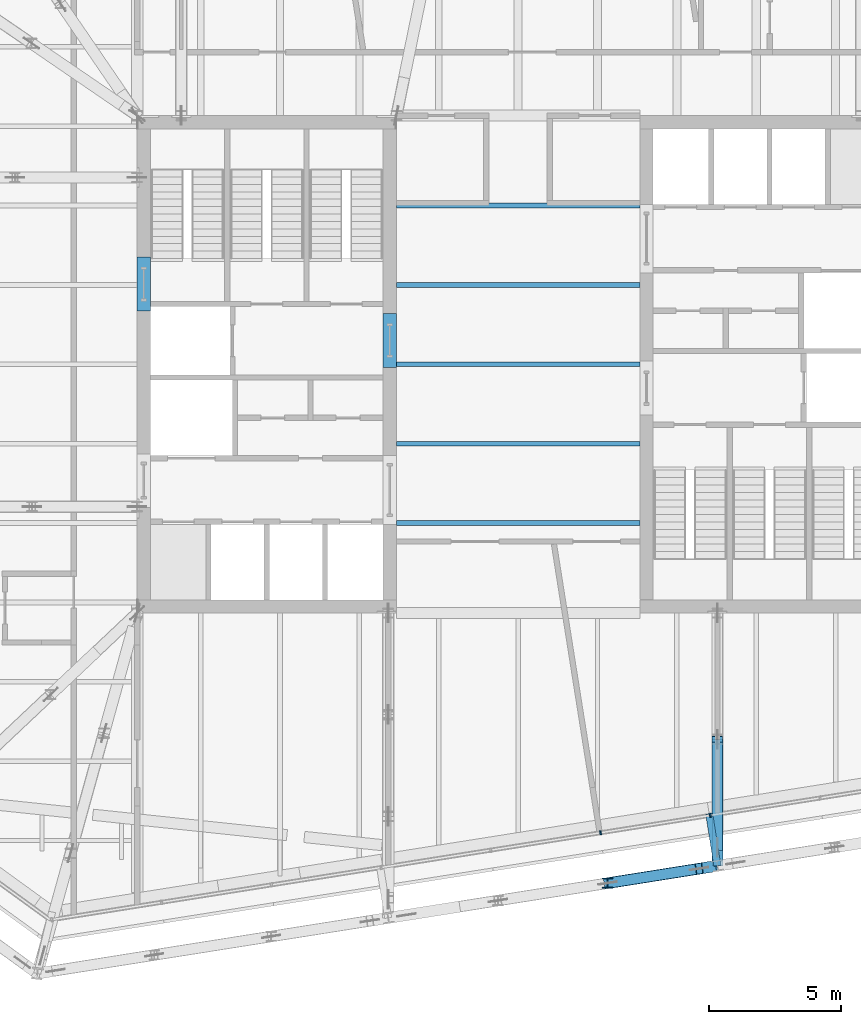
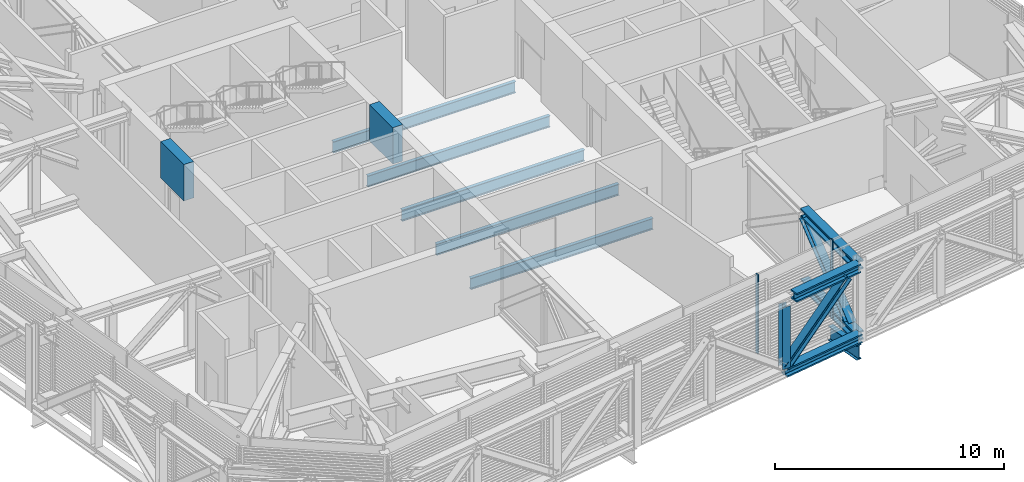
# One storey, part 8 of 32: 12 beams, 5 members, 1 element without a shape of its own.
"""IFC4 building model written with IfcOpenShell, lengths in metres."""

from ifc_helpers import new_model, si_unit, direction, frame, origin, origin_2d, place, context, subcontext, project, spatial, rectangle, i_section, extrude, material, layer, layer_set, material_profile, profile_set, type_object, element, aggregate, save


model = new_model("IFC4")

# Units and contexts
model_context = context("Model", 3, precision=1e-05, world=origin(), true_north=direction((0.0, 1.0)))
body_context = subcontext(model_context, "Body", "Model", "MODEL_VIEW")
ifc_project = project(units=[si_unit("LENGTHUNIT", "METRE"), si_unit("AREAUNIT", "SQUARE_METRE"), si_unit("VOLUMEUNIT", "CUBIC_METRE"), si_unit("PLANEANGLEUNIT", "RADIAN"), si_unit("MASSUNIT", "GRAM", prefix="KILO")], contexts=[model_context])

# Site, building, storey
site_placement = place(None, origin())
site = spatial("IfcSite", under=ifc_project, at=site_placement, CompositionType="ELEMENT")
building_placement = place(site_placement, origin())
building = spatial("IfcBuilding", under=site, at=building_placement, Name="Millrace Tower", CompositionType="ELEMENT")
storey_placement = place(building_placement, frame((0.0, 0.0, 266.89990234375)))
storey = spatial("IfcBuildingStorey", under=building, at=storey_placement, Name="L61", CompositionType="ELEMENT", Elevation=266.89990234375)

# Beams
ifc_material_1 = material(Name="Steel ASTM A992 Grade 50", Category="steel")
ifc_material_profile_1 = material_profile(ifc_material_1, i_section(OverallWidth=0.424072265625, OverallDepth=0.47509765625, WebThickness=0.0478515625, FlangeThickness=0.0771484375, FilletRadius=0.014892578125, at=origin_2d()))
ifc_profile_set_1 = profile_set([ifc_material_profile_1], Name="Steel ASTM A992 Grade 50")
beam_type_1 = type_object("IfcBeamType", Name="Belt truss chord W14x426", PredefinedType="BEAM", material=ifc_profile_set_1)
beam_1_placement = place(storey_placement, frame((3.385009765625, -19.61376953125, 0.237548828125), z_axis=(0.987689328781, 0.156428225752, 0.0), x_axis=(-0.156428225752, 0.987689328781, 0.0)))
element("IfcBeam", 1, at=beam_1_placement, inside=storey, type_object=beam_type_1, Name="BLT-L61-R03-B03", PredefinedType="BEAM", context=body_context, shape_type="SweptSolid", body=[
    extrude(i_section(OverallWidth=0.424072265625, OverallDepth=0.47509765625, WebThickness=0.0478515625, FlangeThickness=0.0771484375, FilletRadius=0.014892578125, at=origin_2d()), origin(), (0.0, 0.0, 1.0), 4.199951171875),
])
beam_2_placement = place(storey_placement, frame((3.903564453125, -19.531494140625, 4.002685546875), z_axis=(0.987695964542, 0.156386321738, 0.0), x_axis=(-0.156386321738, 0.987695964542, 0.0)))
element("IfcBeam", 2, at=beam_2_placement, inside=storey, type_object=beam_type_1, Name="BLT-L61-R03-T03", PredefinedType="BEAM", context=body_context, shape_type="SweptSolid", body=[
    extrude(i_section(OverallWidth=0.424072265625, OverallDepth=0.47509765625, WebThickness=0.0478515625, FlangeThickness=0.0771484375, FilletRadius=0.014892578125, at=origin_2d()), origin(), (0.0, 0.0, 1.0), 3.609375),
])

# Members
ifc_material_2 = material(Name="Steel ASTM A992 Grade 50", Category="steel")
ifc_material_profile_2 = material_profile(ifc_material_2, i_section(OverallWidth=0.398681640625, OverallDepth=0.385986328125, WebThickness=0.02099609375, FlangeThickness=0.033203125, FilletRadius=0.01513671875, at=origin_2d()))
ifc_profile_set_2 = profile_set([ifc_material_profile_2], Name="Steel ASTM A992 Grade 50")
member_type_1 = type_object("IfcMemberType", Name="Belt truss diagonal W14x176", PredefinedType="BRACE", material=ifc_profile_set_2)
member_1_placement = place(storey_placement, frame((3.385009765625, -19.61376953125, 0.47509765625), z_axis=(0.719639309811, 0.114001763677, 0.684925442405), x_axis=(-0.156464046744, 0.987683654859, 0.0)))
element("IfcMember", 3, at=member_1_placement, inside=storey, type_object=member_type_1, Name="BLT-L61-R03-D03", PredefinedType="BRACE", context=body_context, shape_type="SweptSolid", body=[
    extrude(i_section(OverallWidth=0.398681640625, OverallDepth=0.385986328125, WebThickness=0.02099609375, FlangeThickness=0.033203125, FilletRadius=0.01513671875, at=origin_2d()), origin(), (0.0, 0.0, 1.0), 4.803466796875),
])
ifc_material_3 = material(Name="Steel ASTM A992 Grade 50", Category="steel")
ifc_material_profile_3 = material_profile(ifc_material_3, i_section(OverallWidth=0.393798828125, OverallDepth=0.3759765625, WebThickness=0.017333984375, FlangeThickness=0.027587890625, FilletRadius=0.01513671875, at=origin_2d()))
ifc_profile_set_3 = profile_set([ifc_material_profile_3], Name="Steel ASTM A992 Grade 50")
member_type_2 = type_object("IfcMemberType", Name="Belt truss post W14x145", PredefinedType="POST", material=ifc_profile_set_3)
member_2_placement = place(storey_placement, frame((3.385009765625, -19.61376953125, 0.47509765625), z_axis=(0.0, 0.0, 1.0), x_axis=(1.0, 0.0, 0.0)))
element("IfcMember", 4, at=member_2_placement, inside=storey, type_object=member_type_2, Name="BLT-L61-R03-V02", PredefinedType="POST", context=body_context, shape_type="SweptSolid", body=[
    extrude(i_section(OverallWidth=0.393798828125, OverallDepth=0.3759765625, WebThickness=0.017333984375, FlangeThickness=0.027587890625, FilletRadius=0.01513671875, at=origin_2d()), origin(), (0.0, 0.0, 1.0), 3.2900390625),
])

# Curtain wall, members
ifc_material_4 = material(Name="Aluminium and glass", Category="aluminium")
ifc_layer = layer(ifc_material_4, 0.14990234375)
ifc_layer_set = layer_set([ifc_layer], Name="Aluminium and glass")
curtain_wall_type = type_object("IfcCurtainWallType", Name="CW-5 truss and plant storey louvred infill", PredefinedType="NOTDEFINED", material=ifc_layer_set)
curtain_wall_placement = place(storey_placement, origin())
curtain_wall = element("IfcCurtainWall", 5, at=curtain_wall_placement, inside=storey, type_object=curtain_wall_type, Name="Curtain wall D-F02 L61", PredefinedType="NOTDEFINED")
ifc_material_5 = material(Name="Aluminium", Category="aluminium")
ifc_material_profile_4 = material_profile(ifc_material_5, rectangle(XDim=0.06494140625, YDim=0.14990234375, at=origin_2d()))
ifc_profile_set_4 = profile_set([ifc_material_profile_4], Name="Aluminium")
member_type_3 = type_object("IfcMemberType", Name="CW-5 truss and plant storey louvred infill mullion", PredefinedType="MULLION", material=ifc_profile_set_4)
member_3_placement = place(storey_placement, frame((3.115966796875, -17.707275390625, 0.14013671875), z_axis=(0.0, 0.0, 1.0), x_axis=(0.987688339511, 0.156434471884, 0.0)))
member_3 = element("IfcMember", 6, at=member_3_placement, type_object=member_type_3, Name="CW5 mullion D-F02.6", PredefinedType="MULLION", context=body_context, shape_type="SweptSolid", body=[
    extrude(rectangle(XDim=0.06494140625, YDim=0.14990234375, at=origin_2d()), origin(), (0.0, 0.0, 1.0), 4.199951171875),
])
member_4_placement = place(storey_placement, frame((7.26416015625, -17.05029296875, 0.14013671875), z_axis=(0.0, 0.0, 1.0), x_axis=(0.987688339511, 0.156434471884, 0.0)))
member_4 = element("IfcMember", 7, at=member_4_placement, type_object=member_type_3, Name="CW5 mullion D-F02.7", PredefinedType="MULLION", context=body_context, shape_type="SweptSolid", body=[
    extrude(rectangle(XDim=0.06494140625, YDim=0.14990234375, at=origin_2d()), origin(), (0.0, 0.0, 1.0), 4.199951171875),
])
aggregate(curtain_wall, [member_3, member_4])

# Beams
ifc_material_6 = material(Name="Concrete C60", Category="concrete")
ifc_material_profile_5 = material_profile(ifc_material_6, rectangle(XDim=0.5, YDim=1.93994140625, at=origin_2d()))
ifc_profile_set_5 = profile_set([ifc_material_profile_5], Name="Concrete C60")
beam_type_2 = type_object("IfcBeamType", Name="Coupling beam 500 x 1940 Concrete C60, 1300 opening", PredefinedType="BEAM", material=ifc_profile_set_5)
beam_3_placement = place(storey_placement, frame((-14.14990234375, 2.011474609375, 3.3701171875), z_axis=(0.0, 1.0, 0.0), x_axis=(-1.0, 0.0, 0.0)))
element("IfcBeam", 8, at=beam_3_placement, inside=storey, type_object=beam_type_2, Name="Coupling beam W L61", PredefinedType="BEAM", context=body_context, shape_type="SweptSolid", body=[
    extrude(rectangle(XDim=0.5, YDim=1.93994140625, at=origin_2d()), origin(), (0.0, 0.0, 1.0), 2.037109375),
])
beam_4_placement = place(storey_placement, frame((-4.85009765625, -0.118408203125, 3.3701171875), z_axis=(0.0, 1.0, 0.0), x_axis=(-1.0, 0.0, 0.0)))
element("IfcBeam", 9, at=beam_4_placement, inside=storey, type_object=beam_type_2, Name="Coupling beam W L61", PredefinedType="BEAM", context=body_context, shape_type="SweptSolid", body=[
    extrude(rectangle(XDim=0.5, YDim=1.93994140625, at=origin_2d()), origin(), (0.0, 0.0, 1.0), 2.036865234375),
])
ifc_material_7 = material(Name="Steel ASTM A992 Grade 50", Category="steel")
ifc_material_profile_6 = material_profile(ifc_material_7, i_section(OverallWidth=0.177978515625, OverallDepth=0.599365234375, WebThickness=0.010009765625, FlangeThickness=0.012939453125, FilletRadius=0.012939453125, at=origin_2d()))
ifc_profile_set_6 = profile_set([ifc_material_profile_6], Name="Steel ASTM A992 Grade 50")
beam_type_3 = type_object("IfcBeamType", Name="Floor beam W24x55", PredefinedType="JOIST", material=ifc_profile_set_6)
for number, where, z_axis, x_axis, name in (
    (10, (-4.60009765625, -6.0, -0.549560546875), (1.0, 0.0, 0.0), (0.0, 1.0, 0.0), "BM-D-L61-S1-S008"),
    (11, (-4.60009765625, -3.0, -0.549560546875), (1.0, 0.0, 0.0), (0.0, 1.0, 0.0), "BM-D-L61-S1-S011"),
    (12, (-4.60009765625, 0.0, -0.549560546875), (1.0, 0.0, 0.0), (0.0, 1.0, 0.0), "BM-D-L61-S1-S014"),
    (13, (-4.60009765625, 3.0, -0.549560546875), (1.0, 0.0, 0.0), (0.0, 1.0, 0.0), "BM-D-L61-S1-S017"),
    (14, (-4.60009765625, 6.0, -0.549560546875), (1.0, 0.0, 0.0), (0.0, 1.0, 0.0), "BM-D-L61-S1-S020"),
):
    element("IfcBeam", number, at=place(storey_placement, frame(where, z_axis=z_axis, x_axis=x_axis)), inside=storey, type_object=beam_type_3, Name=name, PredefinedType="JOIST", context=body_context, shape_type="SweptSolid", body=[
        extrude(i_section(OverallWidth=0.177978515625, OverallDepth=0.599365234375, WebThickness=0.010009765625, FlangeThickness=0.012939453125, FilletRadius=0.012939453125, at=origin_2d()), origin(), (0.0, 0.0, 1.0), 9.2001953125),
    ])
ifc_material_8 = material(Name="Steel ASTM A992 Grade 50", Category="steel")
ifc_material_profile_7 = material_profile(ifc_material_8, i_section(OverallWidth=0.2666015625, OverallDepth=0.7568359375, WebThickness=0.013916015625, FlangeThickness=0.019287109375, FilletRadius=0.0166015625, at=origin_2d()))
ifc_profile_set_7 = profile_set([ifc_material_profile_7], Name="Steel ASTM A992 Grade 50")
beam_type_4 = type_object("IfcBeamType", Name="Link beam W30x108", PredefinedType="BEAM", material=ifc_profile_set_7)
beam_5_placement = place(storey_placement, frame((7.220458984375, -16.981201171875, -0.62841796875), z_axis=(0.156357438014, -0.987700537399, 0.0), x_axis=(0.987700537399, 0.156357438014, 0.0)))
element("IfcBeam", 15, at=beam_5_placement, inside=storey, type_object=beam_type_4, Name="LNK-D-L61-S1-14", PredefinedType="BEAM", context=body_context, shape_type="SweptSolid", body=[
    extrude(i_section(OverallWidth=0.2666015625, OverallDepth=0.7568359375, WebThickness=0.013916015625, FlangeThickness=0.019287109375, FilletRadius=0.0166015625, at=origin_2d()), origin(), (0.0, 0.0, 1.0), 2.000244140625),
])
ifc_material_9 = material(Name="Steel ASTM A992 Grade 50", Category="steel")
ifc_material_profile_8 = material_profile(ifc_material_9, i_section(OverallWidth=0.424072265625, OverallDepth=0.47509765625, WebThickness=0.0478515625, FlangeThickness=0.0771484375, FilletRadius=0.014892578125, at=origin_2d()))
ifc_profile_set_8 = profile_set([ifc_material_profile_8], Name="Steel ASTM A992 Grade 50")
beam_type_5 = type_object("IfcBeamType", Name="Outrigger truss chord W14x426", PredefinedType="BEAM", material=ifc_profile_set_8)
for number, where, z_axis, x_axis, name in (
    (16, (7.533203125, -14.17822265625, 0.237548828125), (0.0, -1.0, 0.0), (1.0, 0.0, 0.0), "BLT-L61-O04-B02"),
    (17, (7.533203125, -14.17822265625, 4.002685546875), (0.0, -1.0, 0.0), (1.0, 0.0, 0.0), "BLT-L61-O04-T02"),
):
    element("IfcBeam", number, at=place(storey_placement, frame(where, z_axis=z_axis, x_axis=x_axis)), inside=storey, type_object=beam_type_5, Name=name, PredefinedType="BEAM", context=body_context, shape_type="SweptSolid", body=[
        extrude(i_section(OverallWidth=0.424072265625, OverallDepth=0.47509765625, WebThickness=0.0478515625, FlangeThickness=0.0771484375, FilletRadius=0.014892578125, at=origin_2d()), origin(), (0.0, 0.0, 1.0), 4.778564453125),
    ])

# Member
ifc_material_10 = material(Name="Steel ASTM A992 Grade 50", Category="steel")
ifc_material_profile_9 = material_profile(ifc_material_10, i_section(OverallWidth=0.398681640625, OverallDepth=0.385986328125, WebThickness=0.02099609375, FlangeThickness=0.033203125, FilletRadius=0.01513671875, at=origin_2d()))
ifc_profile_set_9 = profile_set([ifc_material_profile_9], Name="Steel ASTM A992 Grade 50")
member_type_4 = type_object("IfcMemberType", Name="Outrigger truss diagonal W14x176", PredefinedType="BRACE", material=ifc_profile_set_9)
member_5_placement = place(storey_placement, frame((7.533203125, -18.256591796875, 0.47509765625), z_axis=(0.0, 0.778316820811, 0.627871743625), x_axis=(-1.0, 0.0, 0.0)))
element("IfcMember", 18, at=member_5_placement, inside=storey, type_object=member_type_4, Name="BLT-L61-O04-D02", PredefinedType="BRACE", context=body_context, shape_type="SweptSolid", body=[
    extrude(i_section(OverallWidth=0.398681640625, OverallDepth=0.385986328125, WebThickness=0.02099609375, FlangeThickness=0.033203125, FilletRadius=0.01513671875, at=origin_2d()), origin(), (0.0, 0.0, 1.0), 5.239990234375),
])

save(model, "model.ifc")
